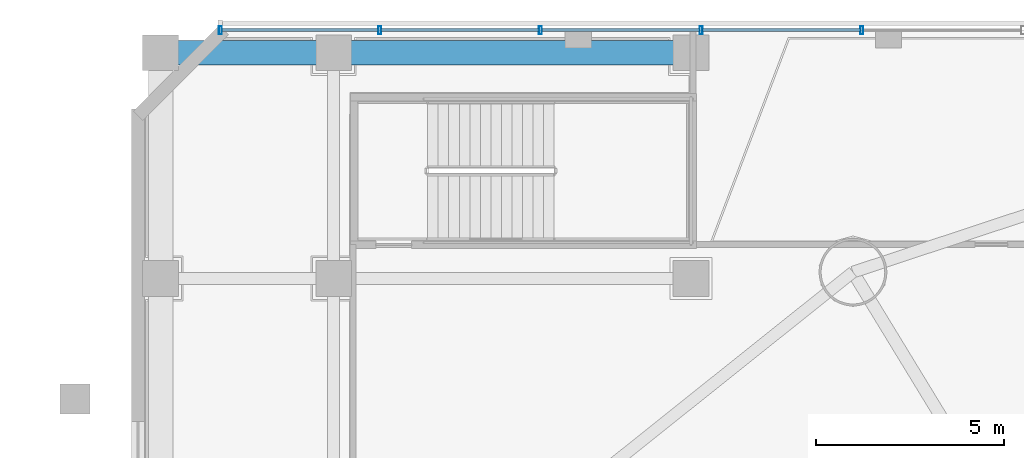
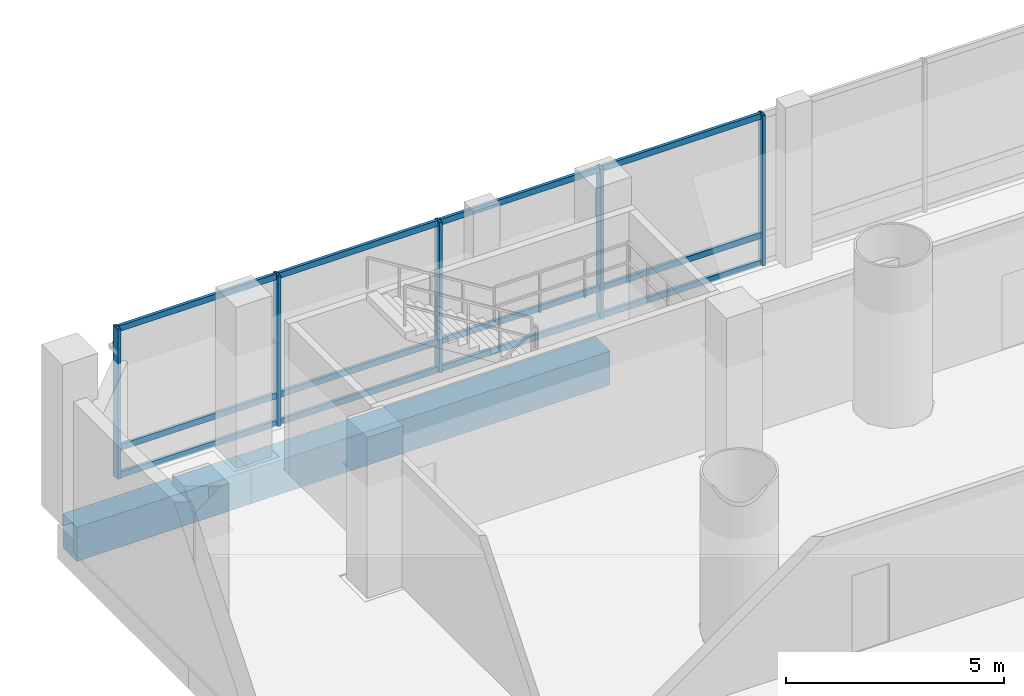
# One storey, part 11 of 36: 17 members, 2 beams, 1 element without a shape of its own.
"""IFC4 building model written with IfcOpenShell, lengths in metres."""

from ifc_helpers import new_model, si_unit, direction, frame, origin, origin_2d, place, context, subcontext, project, spatial, rectangle, hollow_rectangle, extrude, source, transform, mapped, material, material_profile, profile_set, type_object, element, aggregate, save


model = new_model("IFC4")

# Units and contexts
model_context = context("Model", 3, precision=1e-05, world=origin(), true_north=direction((-0.2419218956, 0.970295726276)))
body_context = subcontext(model_context, "Body", "Model", "MODEL_VIEW")
ifc_project = project(units=[si_unit("LENGTHUNIT", "METRE"), si_unit("AREAUNIT", "SQUARE_METRE"), si_unit("VOLUMEUNIT", "CUBIC_METRE"), si_unit("PLANEANGLEUNIT", "RADIAN"), si_unit("MASSUNIT", "GRAM", prefix="KILO")], contexts=[model_context])

# Site, building, storey
site_placement = place(None, origin())
site = spatial("IfcSite", under=ifc_project, at=site_placement, CompositionType="ELEMENT")
building_placement = place(site_placement, origin())
building = spatial("IfcBuilding", under=site, at=building_placement, Name="Cobrevalo Terracotta Tower", CompositionType="ELEMENT")
storey_placement = place(building_placement, frame((0.0, 0.0, 9.89990234375)))
storey = spatial("IfcBuildingStorey", under=building, at=storey_placement, Name="L02", CompositionType="ELEMENT", Elevation=9.89990234375)

# Beams
ifc_material_1 = material(Name="Concrete C50", Category="concrete")
ifc_material_profile_1 = material_profile(ifc_material_1, rectangle(XDim=0.64990234375, YDim=0.949951171875, at=origin_2d()), Name="RC BM 650x950")
ifc_profile_set_1 = profile_set([ifc_material_profile_1], Name="Concrete C50")
beam_type = type_object("IfcBeamType", Name="Structural Spandrel RC BM 650x950 (Concrete C50)", PredefinedType="SPANDREL", material=ifc_profile_set_1)
beam_1_placement = place(storey_placement, frame((4.39990234375, 50.800048828125, -0.77490234375), z_axis=(1.0, 0.0, 0.0), x_axis=(0.0, 1.0, 0.0)))
element("IfcBeam", 1, at=beam_1_placement, inside=storey, type_object=beam_type, Name="L02 podium grid beam G1-GG to G2-GG", PredefinedType="SPANDREL", context=body_context, shape_type="SweptSolid", body=[
    extrude(rectangle(XDim=0.64990234375, YDim=0.949951171875, at=origin_2d()), origin(), (0.0, 0.0, 1.0), 4.60009765625),
])
beam_2_placement = place(storey_placement, frame((9.0, 50.800048828125, -0.77490234375), z_axis=(1.0, 0.0, 0.0), x_axis=(0.0, 1.0, 0.0)))
element("IfcBeam", 2, at=beam_2_placement, inside=storey, type_object=beam_type, Name="L02 podium grid beam G2-GG to G3-GG", PredefinedType="SPANDREL", context=body_context, shape_type="SweptSolid", body=[
    extrude(rectangle(XDim=0.64990234375, YDim=0.949951171875, at=origin_2d()), origin(), (0.0, 0.0, 1.0), 9.5),
])

# Curtain wall, members
ifc_material_2 = material(Name="Anodized aluminium", Category="aluminium")
curtain_wall_type = type_object("IfcCurtainWallType", Name="Podium gallery & conservatory curtain wall CW-S2", PredefinedType="NOTDEFINED", material=ifc_material_2)
curtain_wall_placement = place(storey_placement, origin())
curtain_wall = element("IfcCurtainWall", 3, at=curtain_wall_placement, inside=storey, type_object=curtain_wall_type, Name="L02 curtain wall CW-POD-L02-N", PredefinedType="NOTDEFINED")
ifc_material_profile_2 = material_profile(ifc_material_2, hollow_rectangle(XDim=0.080078125, YDim=0.219970703125, WallThickness=0.0048828125, at=origin_2d()), Name="CWM 80x220")
ifc_profile_set_2 = profile_set([ifc_material_profile_2], Name="Anodized aluminium")
member_type_1 = type_object("IfcMemberType", Name="Storefront & atrium aluminium mullion 80x220", PredefinedType="MULLION", material=ifc_profile_set_2)
shared_shape_1 = source(origin(), body_context, "Body", "SweptSolid", [
    extrude(hollow_rectangle(XDim=0.080078125, YDim=0.219970703125, WallThickness=0.0048828125, at=origin_2d()), origin(), (0.0, 0.0, 1.0), 4.2001953125),
])
member_1_placement = place(storey_placement, frame((23.043212890625, 51.39990234375, 0.0), z_axis=(0.0, 0.0, 1.0), x_axis=(-1.0, 0.0, 0.0)))
member_1 = element("IfcMember", 4, at=member_1_placement, type_object=member_type_1, Name="CW-POD-L02-N vertical mullion 12", PredefinedType="MULLION", context=body_context, shape_type="MappedRepresentation", body=[
    mapped(shared_shape_1, transform((0.0, 0.0, 0.0), scale=1.0)),
])
member_2_placement = place(storey_placement, frame((18.77001953125, 51.39990234375, 0.0), z_axis=(0.0, 0.0, 1.0), x_axis=(-1.0, 0.0, 0.0)))
member_2 = element("IfcMember", 5, at=member_2_placement, type_object=member_type_1, Name="CW-POD-L02-N vertical mullion 13", PredefinedType="MULLION", context=body_context, shape_type="MappedRepresentation", body=[
    mapped(shared_shape_1, transform((0.0, 0.0, 0.0), scale=1.0)),
])
member_3_placement = place(storey_placement, frame((14.49658203125, 51.39990234375, 0.0), z_axis=(0.0, 0.0, 1.0), x_axis=(-1.0, 0.0, 0.0)))
member_3 = element("IfcMember", 6, at=member_3_placement, type_object=member_type_1, Name="CW-POD-L02-N vertical mullion 14", PredefinedType="MULLION", context=body_context, shape_type="MappedRepresentation", body=[
    mapped(shared_shape_1, transform((0.0, 0.0, 0.0), scale=1.0)),
])
member_4_placement = place(storey_placement, frame((10.223388671875, 51.39990234375, 0.0), z_axis=(0.0, 0.0, 1.0), x_axis=(-1.0, 0.0, 0.0)))
member_4 = element("IfcMember", 7, at=member_4_placement, type_object=member_type_1, Name="CW-POD-L02-N vertical mullion 15", PredefinedType="MULLION", context=body_context, shape_type="MappedRepresentation", body=[
    mapped(shared_shape_1, transform((0.0, 0.0, 0.0), scale=1.0)),
])
member_5_placement = place(storey_placement, frame((5.989990234375, 51.39990234375, 0.0), z_axis=(0.0, 0.0, 1.0), x_axis=(-1.0, 0.0, 0.0)))
member_5 = element("IfcMember", 8, at=member_5_placement, type_object=member_type_1, Name="CW-POD-L02-N vertical mullion 16", PredefinedType="MULLION", context=body_context, shape_type="MappedRepresentation", body=[
    mapped(shared_shape_1, transform((0.0, 0.0, 0.0), scale=1.0)),
])
ifc_material_profile_3 = material_profile(ifc_material_2, hollow_rectangle(XDim=0.080078125, YDim=0.1650390625, WallThickness=0.00439453125, at=origin_2d()), Name="CWT 80x165")
ifc_profile_set_3 = profile_set([ifc_material_profile_3], Name="Anodized aluminium")
member_type_2 = type_object("IfcMemberType", Name="Storefront & atrium aluminium transom 80x165", PredefinedType="USERDEFINED", material=ifc_profile_set_3)
shared_shape_2 = source(origin(), body_context, "Body", "SweptSolid", [
    extrude(hollow_rectangle(XDim=0.080078125, YDim=0.1650390625, WallThickness=0.00439453125, at=origin_2d()), origin(), (0.0, 0.0, 1.0), 4.1533203125),
])
member_6_placement = place(storey_placement, frame((10.183349609375, 51.39990234375, 0.050048828125), z_axis=(-1.0, 0.0, 0.0), x_axis=(0.0, -1.0, 0.0)))
member_6 = element("IfcMember", 9, at=member_6_placement, type_object=member_type_2, Name="CW-POD-L02-N transom B15-T1", ObjectType="TRANSOM", PredefinedType="USERDEFINED", context=body_context, shape_type="MappedRepresentation", body=[
    mapped(shared_shape_2, transform((0.0, 0.0, 0.0), scale=1.0)),
])
member_7_placement = place(storey_placement, frame((10.183349609375, 51.39990234375, 0.820068359375), z_axis=(-1.0, 0.0, 0.0), x_axis=(0.0, -1.0, 0.0)))
member_7 = element("IfcMember", 10, at=member_7_placement, type_object=member_type_2, Name="CW-POD-L02-N transom B15-T2", ObjectType="TRANSOM", PredefinedType="USERDEFINED", context=body_context, shape_type="MappedRepresentation", body=[
    mapped(shared_shape_2, transform((0.0, 0.0, 0.0), scale=1.0)),
])
member_8_placement = place(storey_placement, frame((10.183349609375, 51.39990234375, 4.150146484375), z_axis=(-1.0, 0.0, 0.0), x_axis=(0.0, -1.0, 0.0)))
member_8 = element("IfcMember", 11, at=member_8_placement, type_object=member_type_2, Name="CW-POD-L02-N transom B15-T3", ObjectType="TRANSOM", PredefinedType="USERDEFINED", context=body_context, shape_type="MappedRepresentation", body=[
    mapped(shared_shape_2, transform((0.0, 0.0, 0.0), scale=1.0)),
])
shared_shape_3 = source(origin(), body_context, "Body", "SweptSolid", [
    extrude(hollow_rectangle(XDim=0.080078125, YDim=0.1650390625, WallThickness=0.00439453125, at=origin_2d()), origin(), (0.0, 0.0, 1.0), 4.193359375),
])
member_9_placement = place(storey_placement, frame((23.00341796875, 51.39990234375, 0.050048828125), z_axis=(-1.0, 0.0, 0.0), x_axis=(0.0, -1.0, 0.0)))
member_9 = element("IfcMember", 12, at=member_9_placement, type_object=member_type_2, Name="CW-POD-L02-N transom B12-T1", ObjectType="TRANSOM", PredefinedType="USERDEFINED", context=body_context, shape_type="MappedRepresentation", body=[
    mapped(shared_shape_3, transform((0.0, 0.0, 0.0), scale=1.0)),
])
member_10_placement = place(storey_placement, frame((23.00341796875, 51.39990234375, 0.820068359375), z_axis=(-1.0, 0.0, 0.0), x_axis=(0.0, -1.0, 0.0)))
member_10 = element("IfcMember", 13, at=member_10_placement, type_object=member_type_2, Name="CW-POD-L02-N transom B12-T2", ObjectType="TRANSOM", PredefinedType="USERDEFINED", context=body_context, shape_type="MappedRepresentation", body=[
    mapped(shared_shape_3, transform((0.0, 0.0, 0.0), scale=1.0)),
])
member_11_placement = place(storey_placement, frame((23.00341796875, 51.39990234375, 4.150146484375), z_axis=(-1.0, 0.0, 0.0), x_axis=(0.0, -1.0, 0.0)))
member_11 = element("IfcMember", 14, at=member_11_placement, type_object=member_type_2, Name="CW-POD-L02-N transom B12-T3", ObjectType="TRANSOM", PredefinedType="USERDEFINED", context=body_context, shape_type="MappedRepresentation", body=[
    mapped(shared_shape_3, transform((0.0, 0.0, 0.0), scale=1.0)),
])
member_12_placement = place(storey_placement, frame((18.72998046875, 51.39990234375, 0.050048828125), z_axis=(-1.0, 0.0, 0.0), x_axis=(0.0, -1.0, 0.0)))
member_12 = element("IfcMember", 15, at=member_12_placement, type_object=member_type_2, Name="CW-POD-L02-N transom B13-T1", ObjectType="TRANSOM", PredefinedType="USERDEFINED", context=body_context, shape_type="MappedRepresentation", body=[
    mapped(shared_shape_3, transform((0.0, 0.0, 0.0), scale=1.0)),
])
member_13_placement = place(storey_placement, frame((18.72998046875, 51.39990234375, 0.820068359375), z_axis=(-1.0, 0.0, 0.0), x_axis=(0.0, -1.0, 0.0)))
member_13 = element("IfcMember", 16, at=member_13_placement, type_object=member_type_2, Name="CW-POD-L02-N transom B13-T2", ObjectType="TRANSOM", PredefinedType="USERDEFINED", context=body_context, shape_type="MappedRepresentation", body=[
    mapped(shared_shape_3, transform((0.0, 0.0, 0.0), scale=1.0)),
])
member_14_placement = place(storey_placement, frame((18.72998046875, 51.39990234375, 4.150146484375), z_axis=(-1.0, 0.0, 0.0), x_axis=(0.0, -1.0, 0.0)))
member_14 = element("IfcMember", 17, at=member_14_placement, type_object=member_type_2, Name="CW-POD-L02-N transom B13-T3", ObjectType="TRANSOM", PredefinedType="USERDEFINED", context=body_context, shape_type="MappedRepresentation", body=[
    mapped(shared_shape_3, transform((0.0, 0.0, 0.0), scale=1.0)),
])
member_15_placement = place(storey_placement, frame((14.456787109375, 51.39990234375, 0.050048828125), z_axis=(-1.0, 0.0, 0.0), x_axis=(0.0, -1.0, 0.0)))
member_15 = element("IfcMember", 18, at=member_15_placement, type_object=member_type_2, Name="CW-POD-L02-N transom B14-T1", ObjectType="TRANSOM", PredefinedType="USERDEFINED", context=body_context, shape_type="MappedRepresentation", body=[
    mapped(shared_shape_3, transform((0.0, 0.0, 0.0), scale=1.0)),
])
member_16_placement = place(storey_placement, frame((14.456787109375, 51.39990234375, 0.820068359375), z_axis=(-1.0, 0.0, 0.0), x_axis=(0.0, -1.0, 0.0)))
member_16 = element("IfcMember", 19, at=member_16_placement, type_object=member_type_2, Name="CW-POD-L02-N transom B14-T2", ObjectType="TRANSOM", PredefinedType="USERDEFINED", context=body_context, shape_type="MappedRepresentation", body=[
    mapped(shared_shape_3, transform((0.0, 0.0, 0.0), scale=1.0)),
])
member_17_placement = place(storey_placement, frame((14.456787109375, 51.39990234375, 4.150146484375), z_axis=(-1.0, 0.0, 0.0), x_axis=(0.0, -1.0, 0.0)))
member_17 = element("IfcMember", 20, at=member_17_placement, type_object=member_type_2, Name="CW-POD-L02-N transom B14-T3", ObjectType="TRANSOM", PredefinedType="USERDEFINED", context=body_context, shape_type="MappedRepresentation", body=[
    mapped(shared_shape_3, transform((0.0, 0.0, 0.0), scale=1.0)),
])
aggregate(curtain_wall, [member_1, member_2, member_3, member_4, member_5, member_9, member_10, member_11, member_12, member_13, member_14, member_15, member_16, member_17, member_6, member_7, member_8])

save(model, "model.ifc")
